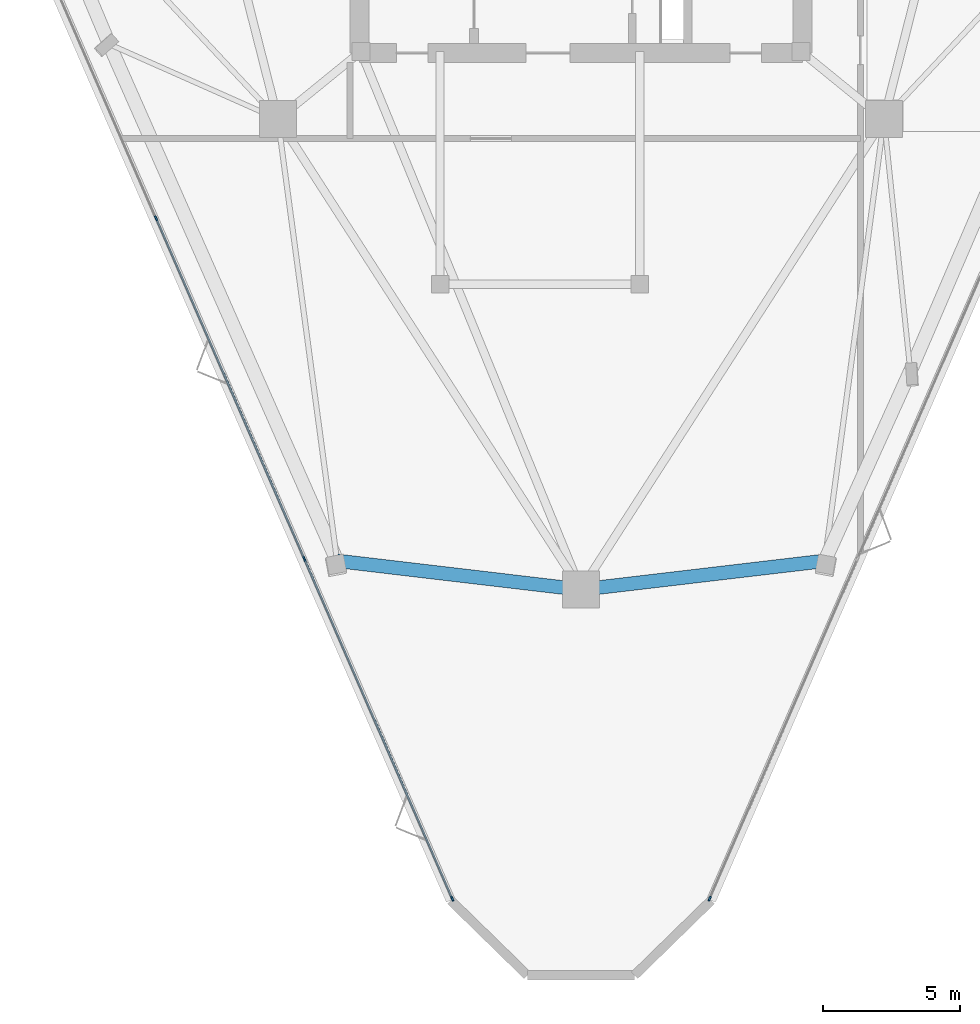
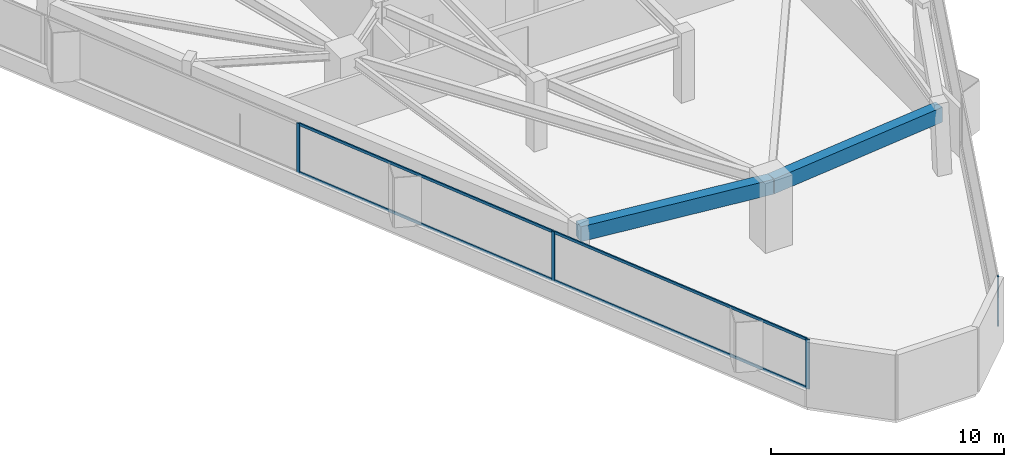
# One storey, part 2 of 12: 8 members, 2 beams, 2 elements without a shape of their own.
"""IFC4 building model written with IfcOpenShell, lengths in metres."""

from ifc_helpers import new_model, si_unit, direction, frame, origin, origin_2d, place, context, subcontext, project, spatial, rectangle, extrude, material, layer, layer_set, material_profile, profile_set, type_object, element, aggregate, save


model = new_model("IFC4")

# Units and contexts
model_context = context("Model", 3, precision=1e-05, world=origin(), true_north=direction((0.0, 1.0)))
body_context = subcontext(model_context, "Body", "Model", "MODEL_VIEW")
ifc_project = project(units=[si_unit("LENGTHUNIT", "METRE"), si_unit("AREAUNIT", "SQUARE_METRE"), si_unit("VOLUMEUNIT", "CUBIC_METRE"), si_unit("PLANEANGLEUNIT", "RADIAN"), si_unit("MASSUNIT", "GRAM", prefix="KILO")], contexts=[model_context])

# Site, building, storey
site_placement = place(None, origin())
site = spatial("IfcSite", under=ifc_project, at=site_placement, CompositionType="ELEMENT")
building_placement = place(site_placement, origin())
building = spatial("IfcBuilding", under=site, at=building_placement, Name="Talyreon Biosciences Tower", CompositionType="ELEMENT")
storey_placement = place(building_placement, frame((0.0, 0.0, 179.39990234375)))
storey = spatial("IfcBuildingStorey", under=building, at=storey_placement, Name="L47", CompositionType="ELEMENT", Elevation=179.39990234375)

# Curtain wall, members
ifc_material_1 = material(Name="Thermally broken aluminium and low-E glazing", Category="aluminium")
ifc_layer = layer(ifc_material_1, 0.179931640625)
ifc_layer_set = layer_set([ifc_layer], Name="Thermally broken aluminium and low-E glazing")
curtain_wall_type = type_object("IfcCurtainWallType", Name="CurtainWall_Zone4Optical", PredefinedType="NOTDEFINED", material=ifc_layer_set)
curtain_wall_1_placement = place(storey_placement, origin())
curtain_wall_1 = element("IfcCurtainWall", 1, at=curtain_wall_1_placement, inside=storey, type_object=curtain_wall_type, Name="L47 Unitised Curtain Wall FCW-L47-00", PredefinedType="NOTDEFINED")
ifc_material_2 = material(Name="Anodised thermally broken aluminium", Category="aluminium")
ifc_material_profile_1 = material_profile(ifc_material_2, rectangle(XDim=0.06494140625, YDim=0.179931640625, at=origin_2d()), Name="ALUM MULLION 65x180")
ifc_profile_set_1 = profile_set([ifc_material_profile_1], Name="Anodised thermally broken aluminium")
member_type_1 = type_object("IfcMemberType", Name="CWMullion_65x180", PredefinedType="MULLION", material=ifc_profile_set_1)
member_1_placement = place(storey_placement, frame((61.29248046875, 30.35791015625, 0.81005859375), z_axis=(0.0, 0.0, 1.0), x_axis=(-0.916912184291, -0.399089020519, 0.0)))
member_1 = element("IfcMember", 2, at=member_1_placement, type_object=member_type_1, Name="CW5 mullion 1", PredefinedType="MULLION", context=body_context, shape_type="SweptSolid", body=[
    extrude(rectangle(XDim=0.06494140625, YDim=0.179931640625, at=origin_2d()), origin(), (0.0, 0.0, 1.0), 2.590087890625),
])
member_2_placement = place(storey_placement, frame((55.88134765625, 42.7900390625, 0.81005859375), z_axis=(0.0, 0.0, 1.0), x_axis=(-0.916912184291, -0.399089020519, 0.0)))
member_2 = element("IfcMember", 3, at=member_2_placement, type_object=member_type_1, Name="CW5 mullion 2", PredefinedType="MULLION", context=body_context, shape_type="SweptSolid", body=[
    extrude(rectangle(XDim=0.06494140625, YDim=0.179931640625, at=origin_2d()), origin(), (0.0, 0.0, 1.0), 2.590087890625),
])
member_3_placement = place(storey_placement, frame((50.45751953125, 55.251953125, 0.81005859375), z_axis=(0.0, 0.0, 1.0), x_axis=(-0.916912184291, -0.399089020519, 0.0)))
member_3 = element("IfcMember", 4, at=member_3_placement, type_object=member_type_1, Name="CW5 mullion 3", PredefinedType="MULLION", context=body_context, shape_type="SweptSolid", body=[
    extrude(rectangle(XDim=0.06494140625, YDim=0.179931640625, at=origin_2d()), origin(), (0.0, 0.0, 1.0), 2.590087890625),
])

# Curtain wall, member
curtain_wall_2_placement = place(storey_placement, origin())
curtain_wall_2 = element("IfcCurtainWall", 5, at=curtain_wall_2_placement, inside=storey, type_object=curtain_wall_type, Name="L47 Unitised Curtain Wall FCW-L47-08", PredefinedType="NOTDEFINED")
member_4_placement = place(storey_placement, frame((70.70751953125, 30.35791015625, 0.81005859375), z_axis=(0.0, 0.0, 1.0), x_axis=(0.916912184291, -0.399089020519, 0.0)))
member_4 = element("IfcMember", 6, at=member_4_placement, type_object=member_type_1, Name="CW5 mullion 5", PredefinedType="MULLION", context=body_context, shape_type="SweptSolid", body=[
    extrude(rectangle(XDim=0.06494140625, YDim=0.179931640625, at=origin_2d()), origin(), (0.0, 0.0, 1.0), 2.590087890625),
])
aggregate(curtain_wall_2, [member_4])

# Member
ifc_material_profile_2 = material_profile(ifc_material_2, rectangle(XDim=0.06494140625, YDim=0.139892578125, at=origin_2d()), Name="ALUM TRANSOM 65x140")
ifc_profile_set_2 = profile_set([ifc_material_profile_2], Name="Anodised thermally broken aluminium")
member_type_2 = type_object("IfcMemberType", Name="CWTransom_65x140", PredefinedType="USERDEFINED", material=ifc_profile_set_2)
member_5_placement = place(storey_placement, frame((61.279541015625, 30.3876953125, 0.842529296875), z_axis=(-0.399077385587, 0.916917248345, 0.0), x_axis=(-0.916917248345, -0.399077385587, 0.0)))
member_5 = element("IfcMember", 7, at=member_5_placement, type_object=member_type_2, Name="CW5 transom 1.1", ObjectType="TRANSOM", PredefinedType="USERDEFINED", context=body_context, shape_type="SweptSolid", body=[
    extrude(rectangle(XDim=0.06494140625, YDim=0.139892578125, at=origin_2d()), origin(), (0.0, 0.0, 1.0), 13.49365234375),
])

member_6_placement = place(storey_placement, frame((61.279541015625, 30.3876953125, 3.36767578125), z_axis=(-0.399077385587, 0.916917248345, 0.0), x_axis=(-0.916917248345, -0.399077385587, 0.0)))
member_6 = element("IfcMember", 8, at=member_6_placement, type_object=member_type_2, Name="CW5 transom 1.2", ObjectType="TRANSOM", PredefinedType="USERDEFINED", context=body_context, shape_type="SweptSolid", body=[
    extrude(rectangle(XDim=0.06494140625, YDim=0.139892578125, at=origin_2d()), origin(), (0.0, 0.0, 1.0), 13.49365234375),
])

member_7_placement = place(storey_placement, frame((55.868408203125, 42.81982421875, 0.842529296875), z_axis=(-0.399075882405, 0.916917902586, 0.0), x_axis=(-0.916917902586, -0.399075882405, 0.0)))
member_7 = element("IfcMember", 9, at=member_7_placement, type_object=member_type_2, Name="CW5 transom 2.1", ObjectType="TRANSOM", PredefinedType="USERDEFINED", context=body_context, shape_type="SweptSolid", body=[
    extrude(rectangle(XDim=0.06494140625, YDim=0.139892578125, at=origin_2d()), origin(), (0.0, 0.0, 1.0), 13.526123046875),
])

member_8_placement = place(storey_placement, frame((55.868408203125, 42.81982421875, 3.36767578125), z_axis=(-0.399075882405, 0.916917902586, 0.0), x_axis=(-0.916917902586, -0.399075882405, 0.0)))
member_8 = element("IfcMember", 10, at=member_8_placement, type_object=member_type_2, Name="CW5 transom 2.2", ObjectType="TRANSOM", PredefinedType="USERDEFINED", context=body_context, shape_type="SweptSolid", body=[
    extrude(rectangle(XDim=0.06494140625, YDim=0.139892578125, at=origin_2d()), origin(), (0.0, 0.0, 1.0), 13.526123046875),
])

aggregate(curtain_wall_1, [member_1, member_2, member_3, member_5, member_6, member_7, member_8])

# Beams
ifc_material_3 = material(Name="Precast concrete C45/55", Category="concrete")
ifc_material_profile_3 = material_profile(ifc_material_3, rectangle(XDim=0.5, YDim=0.780029296875, at=origin_2d()), Name="RCB 500x780")
ifc_profile_set_3 = profile_set([ifc_material_profile_3], Name="Precast concrete C45/55")
beam_type = type_object("IfcBeamType", Name="ExpressedSpandrel_500x780", PredefinedType="SPANDREL", material=ifc_profile_set_3)
for number, where, z_axis, x_axis, name in (
    (11, (66.0, 41.6669921875, 3.010009765625), (0.993124047504, 0.117066759883, 0.0), (-0.117066759883, 0.993124047504, 0.0), "L47 Expressed Horizontal Concrete Spandrel 01"),
    (12, (57.07958984375, 42.718505859375, 3.010009765625), (0.993124047504, -0.117066759883, 0.0), (0.117066759883, 0.993124047504, 0.0), "L47 Expressed Horizontal Concrete Spandrel 12"),
):
    element("IfcBeam", number, at=place(storey_placement, frame(where, z_axis=z_axis, x_axis=x_axis)), inside=storey, type_object=beam_type, Name=name, PredefinedType="SPANDREL", context=body_context, shape_type="SweptSolid", body=[
        extrude(rectangle(XDim=0.5, YDim=0.780029296875, at=origin_2d()), origin(), (0.0, 0.0, 1.0), 8.982177734375),
    ])

save(model, "model.ifc")
